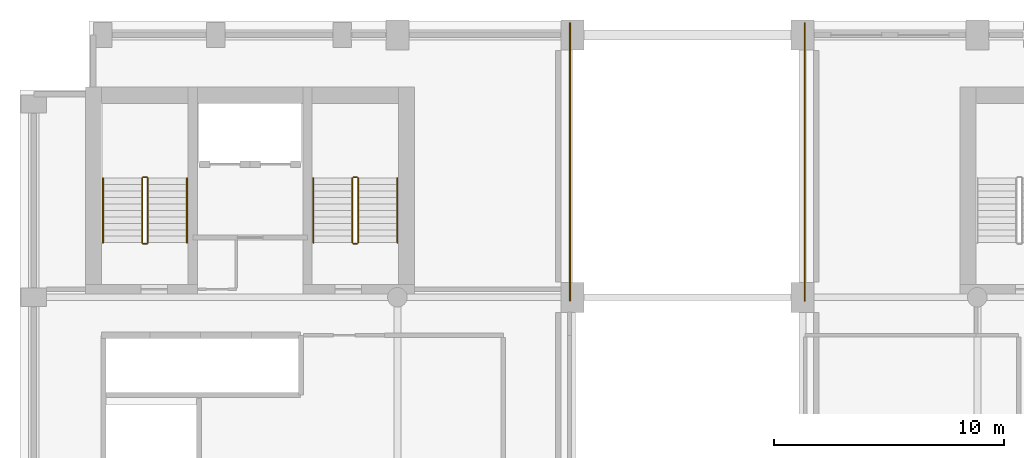
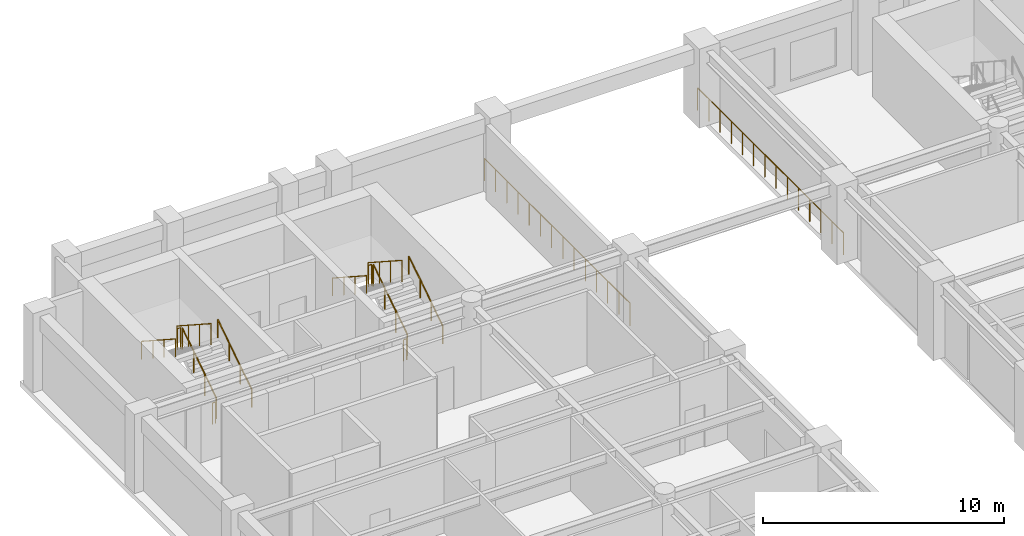
# One storey, part 7 of 8: 14 railings.
"""IFC4 building model written with IfcOpenShell, lengths in metres."""

from ifc_helpers import new_model, si_unit, direction, frame, origin, origin_2d, place, context, subcontext, project, spatial, circle, extrude, material, type_object, element, save


model = new_model("IFC4")

# Units and contexts
model_context = context("Model", 3, precision=1e-05, world=origin(), true_north=direction((0.0, 1.0)))
body_context = subcontext(model_context, "Body", "Model", "MODEL_VIEW")
ifc_project = project(units=[si_unit("LENGTHUNIT", "METRE"), si_unit("AREAUNIT", "SQUARE_METRE"), si_unit("VOLUMEUNIT", "CUBIC_METRE"), si_unit("PLANEANGLEUNIT", "RADIAN"), si_unit("MASSUNIT", "GRAM", prefix="KILO")], contexts=[model_context])

# Site, building, storey
site_placement = place(None, origin())
site = spatial("IfcSite", under=ifc_project, at=site_placement, CompositionType="ELEMENT")
building_placement = place(site_placement, origin())
building = spatial("IfcBuilding", under=site, at=building_placement, Name="Sulina Concourse Tower", CompositionType="ELEMENT")
storey_placement = place(building_placement, frame((0.0, 0.0, 194.60009765625)))
storey = spatial("IfcBuildingStorey", under=building, at=storey_placement, Name="L47", CompositionType="ELEMENT", Elevation=194.60009765625)

# Railings
ifc_material_1 = material(Name="Galvanised steel railing", Category="steel")
railing_type_1 = type_object("IfcRailingType", Name="Core Stair Steel Guardrail 1150mm", PredefinedType="GUARDRAIL", material=ifc_material_1)
railing_1_placement = place(storey_placement, frame((23.89990234375, 33.85009765625, 0.0)))
element("IfcRailing", 1, at=railing_1_placement, inside=storey, type_object=railing_type_1, Name="L47 perimeter edge safety guardrail PFLW", PredefinedType="GUARDRAIL", context=body_context, shape_type="SweptSolid", body=[
    extrude(circle(Radius=0.02392578125, at=origin_2d()), frame((0.0, 0.0, 1.1259765625), z_axis=(0.0, 1.0, 0.0), x_axis=(-1.0, 0.0, 0.0)), (0.0, 0.0, 1.0), 12.06982421875),
    extrude(circle(Radius=0.02099609375, at=origin_2d()), origin(), (0.0, 0.0, 1.0), 1.101806640625),
    extrude(circle(Radius=0.02099609375, at=origin_2d()), frame((0.0, 0.928466796875, 0.0)), (0.0, 0.0, 1.0), 1.101806640625),
    extrude(circle(Radius=0.02099609375, at=origin_2d()), frame((0.0, 1.85693359375, 0.0)), (0.0, 0.0, 1.0), 1.101806640625),
    extrude(circle(Radius=0.02099609375, at=origin_2d()), frame((0.0, 2.785400390625, 0.0)), (0.0, 0.0, 1.0), 1.101806640625),
    extrude(circle(Radius=0.02099609375, at=origin_2d()), frame((0.0, 3.7138671875, 0.0)), (0.0, 0.0, 1.0), 1.101806640625),
    extrude(circle(Radius=0.02099609375, at=origin_2d()), frame((0.0, 4.642333984375, 0.0)), (0.0, 0.0, 1.0), 1.101806640625),
    extrude(circle(Radius=0.02099609375, at=origin_2d()), frame((0.0, 5.57080078125, 0.0)), (0.0, 0.0, 1.0), 1.101806640625),
    extrude(circle(Radius=0.02099609375, at=origin_2d()), frame((0.0, 6.4990234375, 0.0)), (0.0, 0.0, 1.0), 1.101806640625),
    extrude(circle(Radius=0.02099609375, at=origin_2d()), frame((0.0, 7.427490234375, 0.0)), (0.0, 0.0, 1.0), 1.101806640625),
    extrude(circle(Radius=0.02099609375, at=origin_2d()), frame((0.0, 8.35595703125, 0.0)), (0.0, 0.0, 1.0), 1.101806640625),
    extrude(circle(Radius=0.02099609375, at=origin_2d()), frame((0.0, 9.284423828125, 0.0)), (0.0, 0.0, 1.0), 1.101806640625),
    extrude(circle(Radius=0.02099609375, at=origin_2d()), frame((0.0, 10.212890625, 0.0)), (0.0, 0.0, 1.0), 1.101806640625),
    extrude(circle(Radius=0.02099609375, at=origin_2d()), frame((0.0, 11.141357421875, 0.0)), (0.0, 0.0, 1.0), 1.101806640625),
    extrude(circle(Radius=0.02099609375, at=origin_2d()), frame((0.0, 12.06982421875, 0.0)), (0.0, 0.0, 1.0), 1.101806640625),
])
railing_2_placement = place(storey_placement, frame((34.10009765625, 33.85009765625, 0.0)))
element("IfcRailing", 2, at=railing_2_placement, inside=storey, type_object=railing_type_1, Name="L47 perimeter edge safety guardrail PFLE", PredefinedType="GUARDRAIL", context=body_context, shape_type="SweptSolid", body=[
    extrude(circle(Radius=0.02392578125, at=origin_2d()), frame((0.0, 0.0, 1.1259765625), z_axis=(0.0, 1.0, 0.0), x_axis=(-1.0, 0.0, 0.0)), (0.0, 0.0, 1.0), 12.06982421875),
    extrude(circle(Radius=0.02099609375, at=origin_2d()), origin(), (0.0, 0.0, 1.0), 1.101806640625),
    extrude(circle(Radius=0.02099609375, at=origin_2d()), frame((0.0, 0.928466796875, 0.0)), (0.0, 0.0, 1.0), 1.101806640625),
    extrude(circle(Radius=0.02099609375, at=origin_2d()), frame((0.0, 1.85693359375, 0.0)), (0.0, 0.0, 1.0), 1.101806640625),
    extrude(circle(Radius=0.02099609375, at=origin_2d()), frame((0.0, 2.785400390625, 0.0)), (0.0, 0.0, 1.0), 1.101806640625),
    extrude(circle(Radius=0.02099609375, at=origin_2d()), frame((0.0, 3.7138671875, 0.0)), (0.0, 0.0, 1.0), 1.101806640625),
    extrude(circle(Radius=0.02099609375, at=origin_2d()), frame((0.0, 4.642333984375, 0.0)), (0.0, 0.0, 1.0), 1.101806640625),
    extrude(circle(Radius=0.02099609375, at=origin_2d()), frame((0.0, 5.57080078125, 0.0)), (0.0, 0.0, 1.0), 1.101806640625),
    extrude(circle(Radius=0.02099609375, at=origin_2d()), frame((0.0, 6.4990234375, 0.0)), (0.0, 0.0, 1.0), 1.101806640625),
    extrude(circle(Radius=0.02099609375, at=origin_2d()), frame((0.0, 7.427490234375, 0.0)), (0.0, 0.0, 1.0), 1.101806640625),
    extrude(circle(Radius=0.02099609375, at=origin_2d()), frame((0.0, 8.35595703125, 0.0)), (0.0, 0.0, 1.0), 1.101806640625),
    extrude(circle(Radius=0.02099609375, at=origin_2d()), frame((0.0, 9.284423828125, 0.0)), (0.0, 0.0, 1.0), 1.101806640625),
    extrude(circle(Radius=0.02099609375, at=origin_2d()), frame((0.0, 10.212890625, 0.0)), (0.0, 0.0, 1.0), 1.101806640625),
    extrude(circle(Radius=0.02099609375, at=origin_2d()), frame((0.0, 11.141357421875, 0.0)), (0.0, 0.0, 1.0), 1.101806640625),
    extrude(circle(Radius=0.02099609375, at=origin_2d()), frame((0.0, 12.06982421875, 0.0)), (0.0, 0.0, 1.0), 1.101806640625),
])
railing_3_placement = place(storey_placement, frame((5.554931640625, 36.375, 0.181640625)))
element("IfcRailing", 3, at=railing_3_placement, inside=storey, type_object=railing_type_1, Name="L47 ST-1 stair guard 1", PredefinedType="GUARDRAIL", context=body_context, shape_type="SweptSolid", body=[
    extrude(circle(Radius=0.02392578125, at=origin_2d()), frame((0.0, 0.0, 1.076171875), z_axis=(0.0, 0.838672427954, 0.544636170843), x_axis=(-1.0, 0.0, 0.0)), (0.0, 0.0, 1.0), 3.338623046875),
    extrude(circle(Radius=0.02099609375, at=origin_2d()), origin(), (0.0, 0.0, 1.0), 1.052001953125),
    extrude(circle(Radius=0.02099609375, at=origin_2d()), frame((0.0, 0.933349609375, 0.606201171875)), (0.0, 0.0, 1.0), 1.052001953125),
    extrude(circle(Radius=0.02099609375, at=origin_2d()), frame((0.0, 1.86669921875, 1.212158203125)), (0.0, 0.0, 1.0), 1.052001953125),
    extrude(circle(Radius=0.02099609375, at=origin_2d()), frame((0.0, 2.800048828125, 1.818359375)), (0.0, 0.0, 1.0), 1.052001953125),
])
railing_4_placement = place(storey_placement, frame((5.5048828125, 39.22509765625, 2.0)))
element("IfcRailing", 4, at=railing_4_placement, inside=storey, type_object=railing_type_1, Name="L47 ST-1 stair guard 2", PredefinedType="GUARDRAIL", context=body_context, shape_type="SweptSolid", body=[
    extrude(circle(Radius=0.02392578125, at=origin_2d()), frame((0.0, 0.0, 1.076171875), z_axis=(-1.0, 0.0, 0.0), x_axis=(0.0, -1.0, 0.0)), (0.0, 0.0, 1.0), 0.14990234375),
    extrude(circle(Radius=0.02099609375, at=origin_2d()), origin(), (0.0, 0.0, 1.0), 1.052001953125),
    extrude(circle(Radius=0.02099609375, at=origin_2d()), frame((-0.14990234375, 0.0, 0.0)), (0.0, 0.0, 1.0), 1.052001953125),
])
railing_5_placement = place(storey_placement, frame((5.304931640625, 39.175048828125, 2.181640625)))
element("IfcRailing", 5, at=railing_5_placement, inside=storey, type_object=railing_type_1, Name="L47 ST-1 stair guard 3", PredefinedType="GUARDRAIL", context=body_context, shape_type="SweptSolid", body=[
    extrude(circle(Radius=0.02392578125, at=origin_2d()), frame((0.0, 0.0, 1.076171875), z_axis=(0.0, -0.838672427954, 0.544636170843), x_axis=(1.0, 0.0, 0.0)), (0.0, 0.0, 1.0), 3.338623046875),
    extrude(circle(Radius=0.02099609375, at=origin_2d()), origin(), (0.0, 0.0, 1.0), 1.052001953125),
    extrude(circle(Radius=0.02099609375, at=origin_2d()), frame((0.0, -0.933349609375, 0.606201171875)), (0.0, 0.0, 1.0), 1.052001953125),
    extrude(circle(Radius=0.02099609375, at=origin_2d()), frame((0.0, -1.86669921875, 1.212158203125)), (0.0, 0.0, 1.0), 1.052001953125),
    extrude(circle(Radius=0.02099609375, at=origin_2d()), frame((0.0, -2.800048828125, 1.818359375)), (0.0, 0.0, 1.0), 1.052001953125),
])
railing_6_placement = place(storey_placement, frame((5.5048828125, 36.324951171875, 0.0)))
element("IfcRailing", 6, at=railing_6_placement, inside=storey, type_object=railing_type_1, Name="L47 ST-1 stair guard 4", PredefinedType="GUARDRAIL", context=body_context, shape_type="SweptSolid", body=[
    extrude(circle(Radius=0.02392578125, at=origin_2d()), frame((0.0, 0.0, 1.076171875), z_axis=(-1.0, 0.0, 0.0), x_axis=(0.0, -1.0, 0.0)), (0.0, 0.0, 1.0), 0.14990234375),
    extrude(circle(Radius=0.02099609375, at=origin_2d()), origin(), (0.0, 0.0, 1.0), 1.052001953125),
    extrude(circle(Radius=0.02099609375, at=origin_2d()), frame((-0.14990234375, 0.0, 0.0)), (0.0, 0.0, 1.0), 1.052001953125),
])
railing_7_placement = place(storey_placement, frame((14.695068359375, 36.375, 0.181640625)))
element("IfcRailing", 7, at=railing_7_placement, inside=storey, type_object=railing_type_1, Name="L47 ST-2 stair guard 1", PredefinedType="GUARDRAIL", context=body_context, shape_type="SweptSolid", body=[
    extrude(circle(Radius=0.02392578125, at=origin_2d()), frame((0.0, 0.0, 1.076171875), z_axis=(0.0, 0.838672427954, 0.544636170843), x_axis=(-1.0, 0.0, 0.0)), (0.0, 0.0, 1.0), 3.338623046875),
    extrude(circle(Radius=0.02099609375, at=origin_2d()), origin(), (0.0, 0.0, 1.0), 1.052001953125),
    extrude(circle(Radius=0.02099609375, at=origin_2d()), frame((0.0, 0.933349609375, 0.606201171875)), (0.0, 0.0, 1.0), 1.052001953125),
    extrude(circle(Radius=0.02099609375, at=origin_2d()), frame((0.0, 1.86669921875, 1.212158203125)), (0.0, 0.0, 1.0), 1.052001953125),
    extrude(circle(Radius=0.02099609375, at=origin_2d()), frame((0.0, 2.800048828125, 1.818359375)), (0.0, 0.0, 1.0), 1.052001953125),
])
railing_8_placement = place(storey_placement, frame((14.64501953125, 39.22509765625, 2.0)))
element("IfcRailing", 8, at=railing_8_placement, inside=storey, type_object=railing_type_1, Name="L47 ST-2 stair guard 2", PredefinedType="GUARDRAIL", context=body_context, shape_type="SweptSolid", body=[
    extrude(circle(Radius=0.02392578125, at=origin_2d()), frame((0.0, 0.0, 1.076171875), z_axis=(-1.0, 0.0, 0.0), x_axis=(0.0, -1.0, 0.0)), (0.0, 0.0, 1.0), 0.14990234375),
    extrude(circle(Radius=0.02099609375, at=origin_2d()), origin(), (0.0, 0.0, 1.0), 1.052001953125),
    extrude(circle(Radius=0.02099609375, at=origin_2d()), frame((-0.14990234375, 0.0, 0.0)), (0.0, 0.0, 1.0), 1.052001953125),
])
railing_9_placement = place(storey_placement, frame((14.445068359375, 39.175048828125, 2.181640625)))
element("IfcRailing", 9, at=railing_9_placement, inside=storey, type_object=railing_type_1, Name="L47 ST-2 stair guard 3", PredefinedType="GUARDRAIL", context=body_context, shape_type="SweptSolid", body=[
    extrude(circle(Radius=0.02392578125, at=origin_2d()), frame((0.0, 0.0, 1.076171875), z_axis=(0.0, -0.838672427954, 0.544636170843), x_axis=(1.0, 0.0, 0.0)), (0.0, 0.0, 1.0), 3.338623046875),
    extrude(circle(Radius=0.02099609375, at=origin_2d()), origin(), (0.0, 0.0, 1.0), 1.052001953125),
    extrude(circle(Radius=0.02099609375, at=origin_2d()), frame((0.0, -0.933349609375, 0.606201171875)), (0.0, 0.0, 1.0), 1.052001953125),
    extrude(circle(Radius=0.02099609375, at=origin_2d()), frame((0.0, -1.86669921875, 1.212158203125)), (0.0, 0.0, 1.0), 1.052001953125),
    extrude(circle(Radius=0.02099609375, at=origin_2d()), frame((0.0, -2.800048828125, 1.818359375)), (0.0, 0.0, 1.0), 1.052001953125),
])
railing_10_placement = place(storey_placement, frame((14.64501953125, 36.324951171875, 0.0)))
element("IfcRailing", 10, at=railing_10_placement, inside=storey, type_object=railing_type_1, Name="L47 ST-2 stair guard 4", PredefinedType="GUARDRAIL", context=body_context, shape_type="SweptSolid", body=[
    extrude(circle(Radius=0.02392578125, at=origin_2d()), frame((0.0, 0.0, 1.076171875), z_axis=(-1.0, 0.0, 0.0), x_axis=(0.0, -1.0, 0.0)), (0.0, 0.0, 1.0), 0.14990234375),
    extrude(circle(Radius=0.02099609375, at=origin_2d()), origin(), (0.0, 0.0, 1.0), 1.052001953125),
    extrude(circle(Radius=0.02099609375, at=origin_2d()), frame((-0.14990234375, 0.0, 0.0)), (0.0, 0.0, 1.0), 1.052001953125),
])
ifc_material_2 = material(Name="Galvanised steel railing", Category="steel")
railing_type_2 = type_object("IfcRailingType", Name="Stair Wall Steel Handrail 920mm", PredefinedType="HANDRAIL", material=ifc_material_2)
railing_11_placement = place(storey_placement, frame((7.2548828125, 36.375, 0.181640625)))
element("IfcRailing", 11, at=railing_11_placement, inside=storey, type_object=railing_type_2, Name="L47 ST-1 stair handrail 1", PredefinedType="HANDRAIL", context=body_context, shape_type="SweptSolid", body=[
    extrude(circle(Radius=0.02392578125, at=origin_2d()), frame((0.0, 0.0, 0.89599609375), z_axis=(0.0, 0.838672427954, 0.544636170843), x_axis=(-1.0, 0.0, 0.0)), (0.0, 0.0, 1.0), 3.338623046875),
    extrude(circle(Radius=0.02099609375, at=origin_2d()), origin(), (0.0, 0.0, 1.0), 0.871826171875),
    extrude(circle(Radius=0.02099609375, at=origin_2d()), frame((0.0, 0.933349609375, 0.606201171875)), (0.0, 0.0, 1.0), 0.871826171875),
    extrude(circle(Radius=0.02099609375, at=origin_2d()), frame((0.0, 1.86669921875, 1.212158203125)), (0.0, 0.0, 1.0), 0.871826171875),
    extrude(circle(Radius=0.02099609375, at=origin_2d()), frame((0.0, 2.800048828125, 1.818359375)), (0.0, 0.0, 1.0), 0.871826171875),
])
railing_12_placement = place(storey_placement, frame((3.60498046875, 39.175048828125, 2.181640625)))
element("IfcRailing", 12, at=railing_12_placement, inside=storey, type_object=railing_type_2, Name="L47 ST-1 stair handrail 2", PredefinedType="HANDRAIL", context=body_context, shape_type="SweptSolid", body=[
    extrude(circle(Radius=0.02392578125, at=origin_2d()), frame((0.0, 0.0, 0.89599609375), z_axis=(0.0, -0.838672427954, 0.544636170843), x_axis=(1.0, 0.0, 0.0)), (0.0, 0.0, 1.0), 3.338623046875),
    extrude(circle(Radius=0.02099609375, at=origin_2d()), origin(), (0.0, 0.0, 1.0), 0.871826171875),
    extrude(circle(Radius=0.02099609375, at=origin_2d()), frame((0.0, -0.933349609375, 0.606201171875)), (0.0, 0.0, 1.0), 0.871826171875),
    extrude(circle(Radius=0.02099609375, at=origin_2d()), frame((0.0, -1.86669921875, 1.212158203125)), (0.0, 0.0, 1.0), 0.871826171875),
    extrude(circle(Radius=0.02099609375, at=origin_2d()), frame((0.0, -2.800048828125, 1.818359375)), (0.0, 0.0, 1.0), 0.871826171875),
])
railing_13_placement = place(storey_placement, frame((16.39501953125, 36.375, 0.181640625)))
element("IfcRailing", 13, at=railing_13_placement, inside=storey, type_object=railing_type_2, Name="L47 ST-2 stair handrail 1", PredefinedType="HANDRAIL", context=body_context, shape_type="SweptSolid", body=[
    extrude(circle(Radius=0.02392578125, at=origin_2d()), frame((0.0, 0.0, 0.89599609375), z_axis=(0.0, 0.838672427954, 0.544636170843), x_axis=(-1.0, 0.0, 0.0)), (0.0, 0.0, 1.0), 3.338623046875),
    extrude(circle(Radius=0.02099609375, at=origin_2d()), origin(), (0.0, 0.0, 1.0), 0.871826171875),
    extrude(circle(Radius=0.02099609375, at=origin_2d()), frame((0.0, 0.933349609375, 0.606201171875)), (0.0, 0.0, 1.0), 0.871826171875),
    extrude(circle(Radius=0.02099609375, at=origin_2d()), frame((0.0, 1.86669921875, 1.212158203125)), (0.0, 0.0, 1.0), 0.871826171875),
    extrude(circle(Radius=0.02099609375, at=origin_2d()), frame((0.0, 2.800048828125, 1.818359375)), (0.0, 0.0, 1.0), 0.871826171875),
])
railing_14_placement = place(storey_placement, frame((12.7451171875, 39.175048828125, 2.181640625)))
element("IfcRailing", 14, at=railing_14_placement, inside=storey, type_object=railing_type_2, Name="L47 ST-2 stair handrail 2", PredefinedType="HANDRAIL", context=body_context, shape_type="SweptSolid", body=[
    extrude(circle(Radius=0.02392578125, at=origin_2d()), frame((0.0, 0.0, 0.89599609375), z_axis=(0.0, -0.838672427954, 0.544636170843), x_axis=(1.0, 0.0, 0.0)), (0.0, 0.0, 1.0), 3.338623046875),
    extrude(circle(Radius=0.02099609375, at=origin_2d()), origin(), (0.0, 0.0, 1.0), 0.871826171875),
    extrude(circle(Radius=0.02099609375, at=origin_2d()), frame((0.0, -0.933349609375, 0.606201171875)), (0.0, 0.0, 1.0), 0.871826171875),
    extrude(circle(Radius=0.02099609375, at=origin_2d()), frame((0.0, -1.86669921875, 1.212158203125)), (0.0, 0.0, 1.0), 0.871826171875),
    extrude(circle(Radius=0.02099609375, at=origin_2d()), frame((0.0, -2.800048828125, 1.818359375)), (0.0, 0.0, 1.0), 0.871826171875),
])

save(model, "model.ifc")
